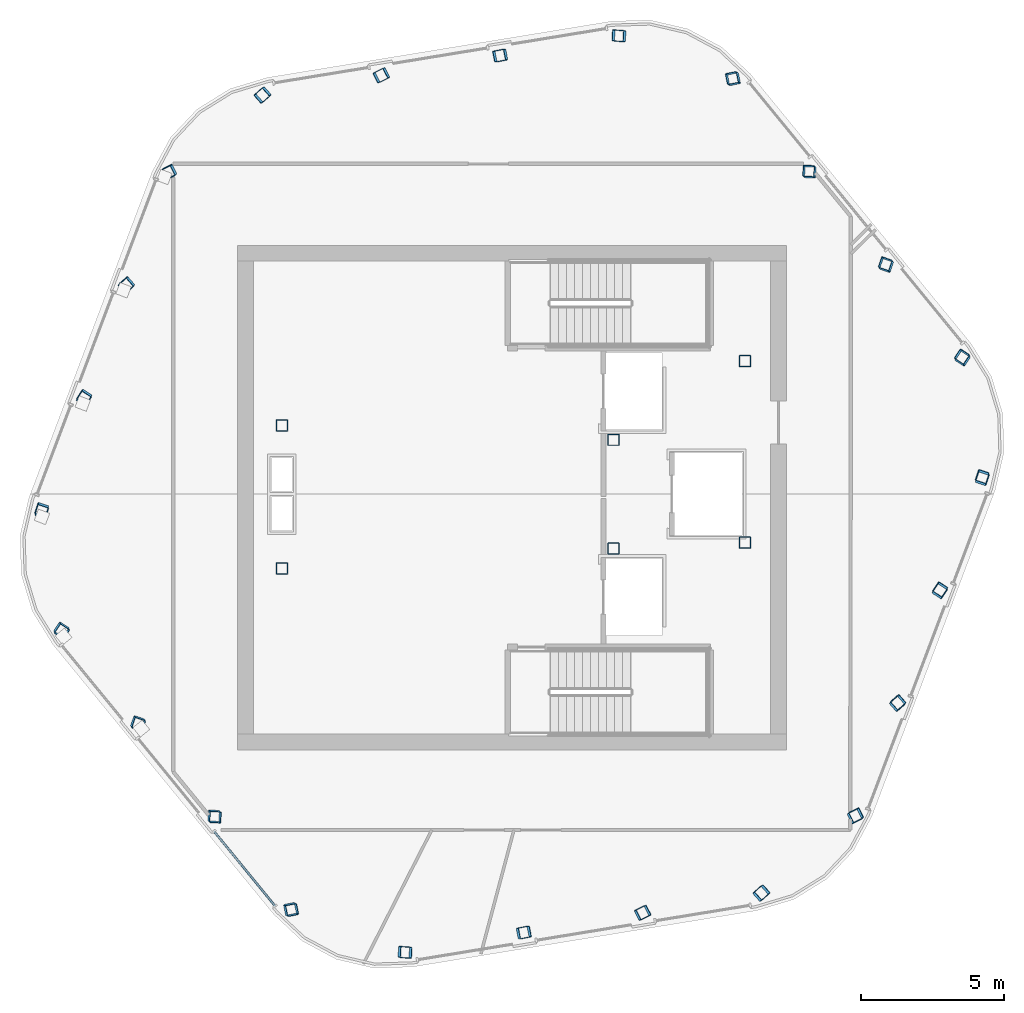
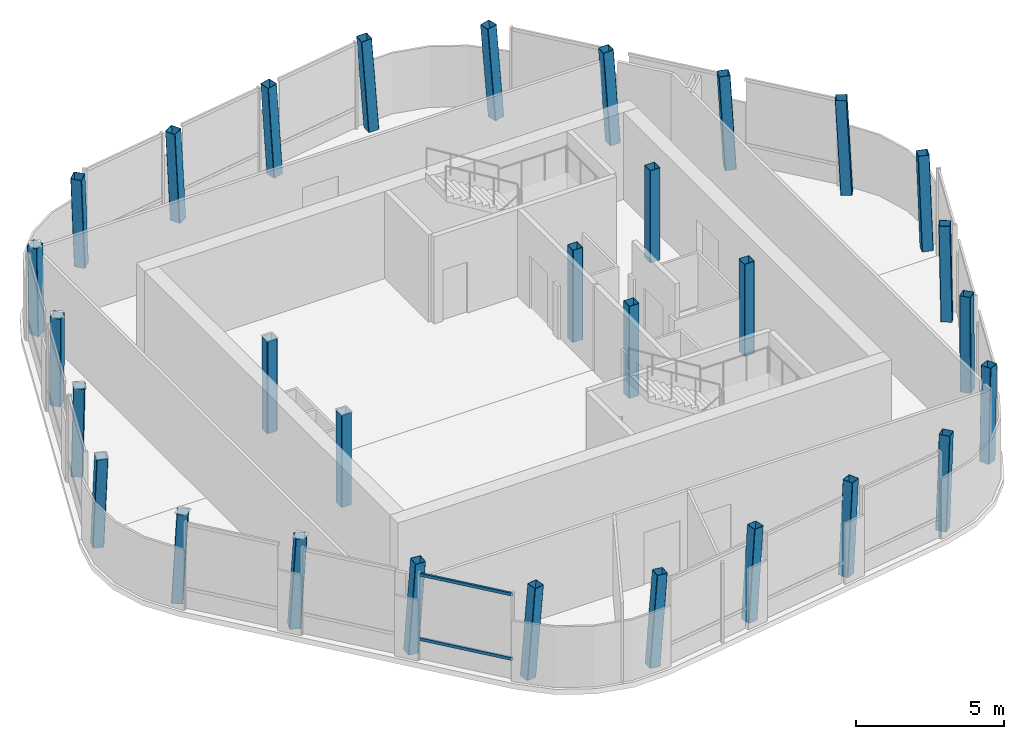
# One storey, part 1 of 8: 30 columns, 2 members, 1 element without a shape of its own.
"""IFC4 building model written with IfcOpenShell, lengths in metres."""

import ifcopenshell
import ifcopenshell.guid

model = None  # the IFC model being written
_history = None  # IfcOwnerHistory: only IFC2X3 demands one
_inside = {}  # id of a spatial element -> (the spatial element, [elements in it])
_under = {}  # id of a project, library or spatial element -> (it, [spatial elements below it])
_declared = {}  # id of a project -> (the project, [libraries it declares])
_typed = {}  # id of a type object -> (the type object, [elements of that type])
_made_of = {}  # id of a material, layer set ... -> (it, [elements and type objects made of it])


def new_model(schema):
    """Start an empty IFC model of exactly this schema.

    Asked for "IFC4X3", IfcOpenShell would pick the latest addendum, in which some entities
    have other attributes; the version numbers below select the first issue.
    IFC2X3 requires an IfcOwnerHistory on every rooted entity: one is made here for all.
    """
    global model, _history
    if schema == "IFC4X3":
        model = ifcopenshell.file(schema_version=(4, 3, 0, 0))
    else:
        model = ifcopenshell.file(schema=schema)
    _inside.clear()
    _under.clear()
    _declared.clear()
    _typed.clear()
    _made_of.clear()
    _history = None
    if model.schema == "IFC2X3":
        org = make("IfcOrganization", Name="unknown")
        user = make(
            "IfcPersonAndOrganization",
            ThePerson=make("IfcPerson", FamilyName="unknown"),
            TheOrganization=org,
        )
        app = make(
            "IfcApplication",
            ApplicationDeveloper=org,
            Version="unknown",
            ApplicationFullName="unknown",
            ApplicationIdentifier="unknown",
        )
        _history = make(
            "IfcOwnerHistory",
            OwningUser=user,
            OwningApplication=app,
            ChangeAction="ADDED",
            CreationDate=0,
        )
    return model


def make(cls, **values):
    """One entity of the class cls with the attributes given. An attribute that is None is left unset."""
    return model.create_entity(
        cls, **{name: value for name, value in values.items() if value is not None}
    )


def rooted(cls, **values):
    """An entity with a GlobalId (a new one), such as an element, a storey or a relation."""
    return make(cls, GlobalId=ifcopenshell.guid.new(), OwnerHistory=_history, **values)


def si_unit(unit_type, name, prefix=None):
    """IfcSIUnit, for example si_unit("LENGTHUNIT", "METRE", prefix="MILLI")."""
    return make("IfcSIUnit", UnitType=unit_type, Prefix=prefix, Name=name)


def assignment(units):
    """IfcUnitAssignment: the units of a project."""
    return None if units is None else make("IfcUnitAssignment", Units=units)


def point(xyz):
    """IfcCartesianPoint."""
    return None if xyz is None else make("IfcCartesianPoint", Coordinates=xyz)


def direction(xyz):
    """IfcDirection."""
    return None if xyz is None else make("IfcDirection", DirectionRatios=xyz)


def frame(location, z_axis=None, x_axis=None):
    """IfcAxis2Placement3D, a coordinate frame: its origin and axes. An axis left out is left unset."""
    return make(
        "IfcAxis2Placement3D",
        Location=point(location),
        Axis=direction(z_axis),
        RefDirection=direction(x_axis),
    )


def frame_2d(location, x_axis=None):
    """IfcAxis2Placement2D, a coordinate frame in the plane: its origin and x axis."""
    return make(
        "IfcAxis2Placement2D", Location=point(location), RefDirection=direction(x_axis)
    )


def origin():
    """The frame at (0, 0, 0) with its axes left unset."""
    return frame((0.0, 0.0, 0.0))


def origin_2d():
    """The frame at (0, 0) in the plane with its x axis left unset."""
    return frame_2d((0.0, 0.0))


def place(relative_to, where):
    """IfcLocalPlacement: puts the frame where relative to a parent placement (None: the world)."""
    return make(
        "IfcLocalPlacement", PlacementRelTo=relative_to, RelativePlacement=where
    )


def context(
    kind, dimensions, precision=None, world=None, true_north=None, identifier=None
):
    """IfcGeometricRepresentationContext, for example the 3D "Model" context."""
    return make(
        "IfcGeometricRepresentationContext",
        ContextIdentifier=identifier,
        ContextType=kind,
        CoordinateSpaceDimension=dimensions,
        Precision=precision,
        WorldCoordinateSystem=world,
        TrueNorth=true_north,
    )


def subcontext(parent, identifier, kind, view, scale=None):
    """IfcGeometricRepresentationSubContext, for example "Body" below "Model"."""
    return make(
        "IfcGeometricRepresentationSubContext",
        ContextIdentifier=identifier,
        ContextType=kind,
        ParentContext=parent,
        TargetScale=scale,
        TargetView=view,
    )


def project(units=None, contexts=None):
    """IfcProject with its units and contexts."""
    return rooted(
        "IfcProject",
        Name="project",
        RepresentationContexts=contexts,
        UnitsInContext=assignment(units),
    )


def spatial(cls, under=None, at=None, **own):
    """A site, building, storey or space (cls), placed at a placement, below another one or the project."""
    s = rooted(cls, ObjectPlacement=at, **own)
    if under is not None:
        _under.setdefault(under.id(), (under, []))[1].append(s)
    return s


def profile(cls, at=None, kind="AREA", **sizes):
    """A parametric profile (cls). Its sizes go by their IFC names, for example OverallWidth=200.0."""
    return make(cls, ProfileType=kind, Position=at, **sizes)


def rectangle(**sizes):
    """IfcRectangleProfileDef."""
    return profile("IfcRectangleProfileDef", **sizes)


def hollow_rectangle(**sizes):
    """IfcRectangleHollowProfileDef."""
    return profile("IfcRectangleHollowProfileDef", **sizes)


def extrude(swept, where, along, depth):
    """IfcExtrudedAreaSolid: the profile swept, set in the frame where, extruded along a direction by depth."""
    return make(
        "IfcExtrudedAreaSolid",
        SweptArea=swept,
        Position=where,
        ExtrudedDirection=direction(along),
        Depth=depth,
    )


def shape(context_of_items, identifier, shape_type, items):
    """IfcShapeRepresentation: the items that make up one representation, for example the "Body"."""
    return make(
        "IfcShapeRepresentation",
        ContextOfItems=context_of_items,
        RepresentationIdentifier=identifier,
        RepresentationType=shape_type,
        Items=items,
    )


def material(Name=None, Category=None):
    """IfcMaterial."""
    return make("IfcMaterial", Name=Name, Category=Category)


def layer(
    of_material, thickness, ventilated=None, Name=None, Category=None, Priority=None
):
    """IfcMaterialLayer: one layer of a wall or slab, of a material (None: an air gap)."""
    return make(
        "IfcMaterialLayer",
        Material=of_material,
        LayerThickness=thickness,
        IsVentilated=ventilated,
        Name=Name,
        Category=Category,
        Priority=Priority,
    )


def layer_set(layers, Name=None):
    """IfcMaterialLayerSet."""
    return make("IfcMaterialLayerSet", MaterialLayers=layers, LayerSetName=Name)


def material_profile(
    of_material, cross_section, Name=None, Category=None, Priority=None
):
    """IfcMaterialProfile: a cross section and its material."""
    return make(
        "IfcMaterialProfile",
        Name=Name,
        Material=of_material,
        Profile=cross_section,
        Priority=Priority,
        Category=Category,
    )


def profile_set(profiles, Name=None, composite=None):
    """IfcMaterialProfileSet."""
    return make(
        "IfcMaterialProfileSet",
        Name=Name,
        MaterialProfiles=profiles,
        CompositeProfile=composite,
    )


def made_of(thing, what):
    """Note that an element or type object is made of a material, layer set ...; save() writes the relation."""
    if what is not None:
        _made_of.setdefault(what.id(), (what, []))[1].append(thing)
    return thing


def type_object(cls, material=None, **own):
    """A type object (cls), such as IfcWallType, which elements share."""
    return made_of(rooted(cls, **own), material)


def element(
    cls,
    number,
    at=None,
    inside=None,
    cuts=None,
    type_object=None,
    material=None,
    context=None,
    identifier="Body",
    shape_type=None,
    held_by="IfcProductDefinitionShape",
    body=None,
    shapes=None,
    **own,
):
    """One element of the class cls, such as IfcWall. Its Tag is "e" and its number.

    at: its placement. inside: the storey or other place that contains it. cuts: it is an
    opening in that element (IfcRelVoidsElement). A single representation is given by context,
    identifier, shape_type and body (its items); several are given by shapes. held_by: the class
    of the entity that holds the representations. save() writes the other relations.
    """
    e = rooted(cls, Tag="e%d" % number, ObjectPlacement=at, **own)
    if body is not None:
        shapes = [shape(context, identifier, shape_type, body)]
    if shapes is not None:
        e.Representation = make(held_by, Representations=shapes)
    if inside is not None:
        _inside.setdefault(inside.id(), (inside, []))[1].append(e)
    if cuts is not None:
        rooted(
            "IfcRelVoidsElement", RelatingBuildingElement=cuts, RelatedOpeningElement=e
        )
    if type_object is not None:
        _typed.setdefault(type_object.id(), (type_object, []))[1].append(e)
    return made_of(e, material)


def aggregate(whole, parts):
    """IfcRelAggregates: a whole, such as a stair, and the parts it consists of."""
    return rooted("IfcRelAggregates", RelatingObject=whole, RelatedObjects=parts)


def save(model, path):
    """Write the relations noted so far, then the file.

    IfcRelAggregates (storeys below a building ...), IfcRelContainedInSpatialStructure (elements
    in a storey), IfcRelDefinesByType, IfcRelAssociatesMaterial and IfcRelDeclares: one each for
    every whole, place, type object, material and project.
    """
    for whole, parts in _under.values():
        aggregate(whole, parts)
    for where, things in _inside.values():
        rooted(
            "IfcRelContainedInSpatialStructure",
            RelatedElements=things,
            RelatingStructure=where,
        )
    for kind, things in _typed.values():
        rooted("IfcRelDefinesByType", RelatedObjects=things, RelatingType=kind)
    for what, things in _made_of.values():
        rooted("IfcRelAssociatesMaterial", RelatedObjects=things, RelatingMaterial=what)
    for by, libraries in _declared.values():
        rooted("IfcRelDeclares", RelatingContext=by, RelatedDefinitions=libraries)
    model.write(path)


model = new_model("IFC4")

# Units and contexts
model_context = context("Model", 3, precision=1e-05, world=origin(), true_north=direction((0.0, 1.0)))
body_context = subcontext(model_context, "Body", "Model", "MODEL_VIEW")
ifc_project = project(units=[si_unit("LENGTHUNIT", "METRE"), si_unit("AREAUNIT", "SQUARE_METRE"), si_unit("VOLUMEUNIT", "CUBIC_METRE"), si_unit("PLANEANGLEUNIT", "RADIAN"), si_unit("MASSUNIT", "GRAM", prefix="KILO")], contexts=[model_context])

# Site, building, storey
site_placement = place(None, origin())
site = spatial("IfcSite", under=ifc_project, at=site_placement, CompositionType="ELEMENT")
building_placement = place(site_placement, origin())
building = spatial("IfcBuilding", under=site, at=building_placement, Name="Valkerne Bourse Tower", CompositionType="ELEMENT")
storey_placement = place(building_placement, frame((0.0, 0.0, 323.0)))
storey = spatial("IfcBuildingStorey", under=building, at=storey_placement, Name="L82", CompositionType="ELEMENT", Elevation=323.0)

# Columns
ifc_material_1 = material(Name="Steel ASTM A500 Grade C", Category="steel")
ifc_material_profile_1 = material_profile(ifc_material_1, hollow_rectangle(XDim=0.39990234375, YDim=0.39990234375, WallThickness=0.01611328125, OuterFilletRadius=0.031982421875, at=origin_2d()), Name="HSS400X400X16")
ifc_profile_set_1 = profile_set([ifc_material_profile_1], Name="Steel ASTM A500 Grade C")
column_type = type_object("IfcColumnType", Name="COL-HSS400X400X16", PredefinedType="COLUMN", material=ifc_profile_set_1)
for number, where, z_axis, x_axis, name in (
    (1, (38.75, 24.39990234375, 0.0048828125), (0.0, 0.0, 1.0), (1.0, 0.0, 0.0), "L82 Core Frame Column CC-SW"),
    (2, (38.75, 29.39990234375, 0.0048828125), (0.0, 0.0, 1.0), (1.0, 0.0, 0.0), "L82 Core Frame Column CC-NW"),
    (3, (50.35009765625, 25.10009765625, 0.0048828125), (0.0, 0.0, 1.0), (1.0, 0.0, 0.0), "L82 Core Frame Column CC-CE1"),
    (4, (50.35009765625, 28.89990234375, 0.0048828125), (0.0, 0.0, 1.0), (1.0, 0.0, 0.0), "L82 Core Frame Column CC-CE2"),
    (5, (54.949951171875, 25.300048828125, 0.0048828125), (0.0, 0.0, 1.0), (1.0, 0.0, 0.0), "L82 Core Frame Column CC-SE"),
    (6, (54.949951171875, 31.64990234375, 0.0048828125), (0.0, 0.0, 1.0), (1.0, 0.0, 0.0), "L82 Core Frame Column CC-NE"),
):
    element("IfcColumn", number, at=place(storey_placement, frame(where, z_axis=z_axis, x_axis=x_axis)), inside=storey, type_object=column_type, Name=name, PredefinedType="COLUMN", context=body_context, shape_type="SweptSolid", body=[
        extrude(hollow_rectangle(XDim=0.39990234375, YDim=0.39990234375, WallThickness=0.01611328125, OuterFilletRadius=0.031982421875, at=origin_2d()), origin(), (0.0, 0.0, 1.0), 3.795166015625),
    ])
column_1_placement = place(storey_placement, frame((50.578857421875, 43.02001953125, 0.010009765625), z_axis=(-0.06654559286, 0.015138639228, 0.997668534972), x_axis=(0.061699048051, 0.998033863805, -0.011028788103)))
element("IfcColumn", 7, at=column_1_placement, inside=storey, type_object=column_type, Name="L82 Helical Perimeter Tube Column F1-C1", PredefinedType="COLUMN", context=body_context, shape_type="SweptSolid", body=[
    extrude(hollow_rectangle(XDim=0.39990234375, YDim=0.39990234375, WallThickness=0.01611328125, OuterFilletRadius=0.031982421875, at=origin_2d()), origin(), (0.0, 0.0, 1.0), 3.789794921875),
])
for number, where, z_axis, x_axis, name in (
    (8, (46.422119140625, 42.33935546875, 0.010009765625), (-0.063601703345, -0.002062061304, 0.997973231723), (-0.193170110779, 0.98111138728, -0.010283678888), "L82 Helical Perimeter Tube Column F1-C2"),
    (9, (42.265380859375, 41.65869140625, 0.010009765625), (-0.060573326479, -0.019267472997, 0.997977773602), (-0.452824997757, 0.89154024256, -0.010272161514), "L82 Helical Perimeter Tube Column F1-C3"),
):
    element("IfcColumn", number, at=place(storey_placement, frame(where, z_axis=z_axis, x_axis=x_axis)), inside=storey, type_object=column_type, Name=name, PredefinedType="COLUMN", context=body_context, shape_type="SweptSolid", body=[
        extrude(hollow_rectangle(XDim=0.39990234375, YDim=0.39990234375, WallThickness=0.01611328125, OuterFilletRadius=0.031982421875, at=origin_2d()), origin(), (0.0, 0.0, 1.0), 3.78857421875),
    ])
for number, where, z_axis, x_axis, name in (
    (10, (38.10888671875, 40.97802734375, 0.010009765625), (-0.057655644621, -0.036525978213, 0.99766812095), (-0.664326161823, 0.747361421921, -0.011029766165), "L82 Helical Perimeter Tube Column F1-C4"),
    (11, (34.815673828125, 38.282470703125, 0.010009765625), (-0.046382381071, -0.049989899599, 0.997672132849), (-0.893890787695, -0.44372285889, -0.063790941153), "L82 Helical Perimeter Tube Column F2-C1"),
):
    element("IfcColumn", number, at=place(storey_placement, frame(where, z_axis=z_axis, x_axis=x_axis)), inside=storey, type_object=column_type, Name=name, PredefinedType="COLUMN", context=body_context, shape_type="SweptSolid", body=[
        extrude(hollow_rectangle(XDim=0.39990234375, YDim=0.39990234375, WallThickness=0.01611328125, OuterFilletRadius=0.031982421875, at=origin_2d()), origin(), (0.0, 0.0, 1.0), 3.789794921875),
    ])
for number, where, z_axis, x_axis, name in (
    (12, (33.326904296875, 34.34228515625, 0.010009765625), (-0.030028838628, -0.056062424047, 0.997975587608), (-0.752381588201, -0.656035506196, -0.059492523439), "L82 Helical Perimeter Tube Column F2-C2"),
    (13, (31.837890625, 30.40234375, 0.010009765625), (-0.013596755568, -0.062119774252, 0.997976082822), (-0.544909967472, -0.836381869681, -0.059485253794), "L82 Helical Perimeter Tube Column F2-C3"),
):
    element("IfcColumn", number, at=place(storey_placement, frame(where, z_axis=z_axis, x_axis=x_axis)), inside=storey, type_object=column_type, Name=name, PredefinedType="COLUMN", context=body_context, shape_type="SweptSolid", body=[
        extrude(hollow_rectangle(XDim=0.39990234375, YDim=0.39990234375, WallThickness=0.01611328125, OuterFilletRadius=0.031982421875, at=origin_2d()), origin(), (0.0, 0.0, 1.0), 3.78857421875),
    ])
for number, where, z_axis, x_axis, name in (
    (14, (30.34912109375, 26.462158203125, 0.010009765625), (0.002770055208, -0.0681562421, 0.997670814175), (-0.315284114704, -0.946849692607, -0.063808985462), "L82 Helical Perimeter Tube Column F2-C4"),
    (15, (31.036865234375, 22.262451171875, 0.010009765625), (0.020163387466, -0.065192805481, 0.997668951065), (0.833220233483, -0.550413933831, -0.052806665856), "L82 Helical Perimeter Tube Column F3-C1"),
):
    element("IfcColumn", number, at=place(storey_placement, frame(where, z_axis=z_axis, x_axis=x_axis)), inside=storey, type_object=column_type, Name=name, PredefinedType="COLUMN", context=body_context, shape_type="SweptSolid", body=[
        extrude(hollow_rectangle(XDim=0.39990234375, YDim=0.39990234375, WallThickness=0.01611328125, OuterFilletRadius=0.031982421875, at=origin_2d()), origin(), (0.0, 0.0, 1.0), 3.789794921875),
    ])
for number, where, z_axis, x_axis, name in (
    (16, (33.70458984375, 19.003173828125, 0.010009765625), (0.033572923826, -0.054064650844, 0.997972881553), (0.94548003469, -0.321935042246, -0.049247665689), "L82 Helical Perimeter Tube Column F3-C2"),
    (17, (36.37255859375, 15.74365234375, 0.010009765625), (0.046976483016, -0.042852347333, 0.997976395699), (0.997406689818, -0.052523925498, -0.049205003379), "L82 Helical Perimeter Tube Column F3-C3"),
):
    element("IfcColumn", number, at=place(storey_placement, frame(where, z_axis=z_axis, x_axis=x_axis)), inside=storey, type_object=column_type, Name=name, PredefinedType="COLUMN", context=body_context, shape_type="SweptSolid", body=[
        extrude(hollow_rectangle(XDim=0.39990234375, YDim=0.39990234375, WallThickness=0.01611328125, OuterFilletRadius=0.031982421875, at=origin_2d()), origin(), (0.0, 0.0, 1.0), 3.78857421875),
    ])
for number, where, z_axis, x_axis, name in (
    (18, (39.040283203125, 12.484375, 0.010009765625), (0.060425768332, -0.031694539466, 0.997669375439), (0.977900531467, 0.202293137966, -0.052801864444), "L82 Helical Perimeter Tube Column F3-C4"),
    (19, (43.021240234375, 10.97998046875, 0.010009765625), (0.066481457978, -0.015138704094, 0.997672809785), (0.061907542762, 0.998021064278, 0.011018684443), "L82 Helical Perimeter Tube Column F4-C1"),
):
    element("IfcColumn", number, at=place(storey_placement, frame(where, z_axis=z_axis, x_axis=x_axis)), inside=storey, type_object=column_type, Name=name, PredefinedType="COLUMN", context=body_context, shape_type="SweptSolid", body=[
        extrude(hollow_rectangle(XDim=0.39990234375, YDim=0.39990234375, WallThickness=0.01611328125, OuterFilletRadius=0.031982421875, at=origin_2d()), origin(), (0.0, 0.0, 1.0), 3.789794921875),
    ])
for number, where, z_axis, x_axis, name in (
    (20, (47.177978515625, 11.66064453125, 0.010009765625), (0.063537524204, 0.002062069751, 0.997977319826), (-0.193202997803, 0.981105020212, 0.010273312791), "L82 Helical Perimeter Tube Column F4-C2"),
    (21, (51.33447265625, 12.34130859375, 0.010009765625), (0.060637529375, 0.01926739775, 0.997973876119), (-0.452550673199, 0.891679408602, 0.010282045607), "L82 Helical Perimeter Tube Column F4-C3"),
):
    element("IfcColumn", number, at=place(storey_placement, frame(where, z_axis=z_axis, x_axis=x_axis)), inside=storey, type_object=column_type, Name=name, PredefinedType="COLUMN", context=body_context, shape_type="SweptSolid", body=[
        extrude(hollow_rectangle(XDim=0.39990234375, YDim=0.39990234375, WallThickness=0.01611328125, OuterFilletRadius=0.031982421875, at=origin_2d()), origin(), (0.0, 0.0, 1.0), 3.78857421875),
    ])
for number, where, z_axis, x_axis, name in (
    (22, (55.4912109375, 13.02197265625, 0.010009765625), (0.057655644621, 0.036525978213, 0.99766812095), (-0.664326161823, 0.747361421921, 0.011029766165), "L82 Helical Perimeter Tube Column F4-C4"),
    (23, (58.7841796875, 15.717529296875, 0.010009765625), (0.046446662168, 0.049989750129, 0.997669149796), (-0.894195755385, -0.443102085715, 0.063831752964), "L82 Helical Perimeter Tube Column F5-C1"),
):
    element("IfcColumn", number, at=place(storey_placement, frame(where, z_axis=z_axis, x_axis=x_axis)), inside=storey, type_object=column_type, Name=name, PredefinedType="COLUMN", context=body_context, shape_type="SweptSolid", body=[
        extrude(hollow_rectangle(XDim=0.39990234375, YDim=0.39990234375, WallThickness=0.01611328125, OuterFilletRadius=0.031982421875, at=origin_2d()), origin(), (0.0, 0.0, 1.0), 3.789794921875),
    ])
for number, where, z_axis, x_axis, name in (
    (24, (60.273193359375, 19.65771484375, 0.010009765625), (0.02996445698, 0.056062532414, 0.997977516669), (-0.751795905341, -0.656709163639, 0.05946420019), "L82 Helical Perimeter Tube Column F5-C2"),
    (25, (61.761962890625, 23.59765625, 0.010009765625), (0.01366118317, 0.062119719696, 0.997975206355), (-0.545737295085, -0.835841359664, 0.059498119537), "L82 Helical Perimeter Tube Column F5-C3"),
):
    element("IfcColumn", number, at=place(storey_placement, frame(where, z_axis=z_axis, x_axis=x_axis)), inside=storey, type_object=column_type, Name=name, PredefinedType="COLUMN", context=body_context, shape_type="SweptSolid", body=[
        extrude(hollow_rectangle(XDim=0.39990234375, YDim=0.39990234375, WallThickness=0.01611328125, OuterFilletRadius=0.031982421875, at=origin_2d()), origin(), (0.0, 0.0, 1.0), 3.78857421875),
    ])
for number, where, z_axis, x_axis, name in (
    (26, (63.250732421875, 27.537841796875, 0.010009765625), (-0.002705635797, 0.06815625412, 0.997670990136), (-0.316177468808, -0.946551915547, 0.063806577966), "L82 Helical Perimeter Tube Column F5-C4"),
    (27, (62.56298828125, 31.737548828125, 0.010009765625), (-0.020098993763, 0.065192890026, 0.99767024489), (0.83272364932, -0.551166332293, 0.052792026013), "L82 Helical Perimeter Tube Column F6-C1"),
):
    element("IfcColumn", number, at=place(storey_placement, frame(where, z_axis=z_axis, x_axis=x_axis)), inside=storey, type_object=column_type, Name=name, PredefinedType="COLUMN", context=body_context, shape_type="SweptSolid", body=[
        extrude(hollow_rectangle(XDim=0.39990234375, YDim=0.39990234375, WallThickness=0.01611328125, OuterFilletRadius=0.031982421875, at=origin_2d()), origin(), (0.0, 0.0, 1.0), 3.789794921875),
    ])
for number, where, z_axis, x_axis, name in (
    (28, (59.895263671875, 34.996826171875, 0.010009765625), (-0.033572923826, 0.054064650844, 0.997972881553), (0.94548003469, -0.321935042246, 0.049247665689), "L82 Helical Perimeter Tube Column F6-C2"),
    (29, (57.2275390625, 38.25634765625, 0.010009765625), (-0.047040780139, 0.042852217524, 0.997973372619), (0.997440574389, -0.051841633121, 0.049241706291), "L82 Helical Perimeter Tube Column F6-C3"),
):
    element("IfcColumn", number, at=place(storey_placement, frame(where, z_axis=z_axis, x_axis=x_axis)), inside=storey, type_object=column_type, Name=name, PredefinedType="COLUMN", context=body_context, shape_type="SweptSolid", body=[
        extrude(hollow_rectangle(XDim=0.39990234375, YDim=0.39990234375, WallThickness=0.01611328125, OuterFilletRadius=0.031982421875, at=origin_2d()), origin(), (0.0, 0.0, 1.0), 3.78857421875),
    ])
column_2_placement = place(storey_placement, frame((54.559814453125, 41.515625, 0.010009765625), z_axis=(-0.060425768332, 0.031694539466, 0.997669375439), x_axis=(0.977900531467, 0.202293137966, 0.052801864444)))
element("IfcColumn", 30, at=column_2_placement, inside=storey, type_object=column_type, Name="L82 Helical Perimeter Tube Column F6-C4", PredefinedType="COLUMN", context=body_context, shape_type="SweptSolid", body=[
    extrude(hollow_rectangle(XDim=0.39990234375, YDim=0.39990234375, WallThickness=0.01611328125, OuterFilletRadius=0.031982421875, at=origin_2d()), origin(), (0.0, 0.0, 1.0), 3.789794921875),
])

# Curtain wall, members
ifc_material_2 = material(Name="Aluminium AA 6063-T6", Category="aluminium")
ifc_layer = layer(ifc_material_2, 0.25)
ifc_layer_set = layer_set([ifc_layer], Name="Aluminium AA 6063-T6")
curtain_wall_type = type_object("IfcCurtainWallType", Name="CW-06", PredefinedType="NOTDEFINED", material=ifc_layer_set)
curtain_wall_placement = place(storey_placement, origin())
curtain_wall = element("IfcCurtainWall", 31, at=curtain_wall_placement, inside=storey, type_object=curtain_wall_type, Name="L82 Hexagonal Stick Curtain Wall Face 3", PredefinedType="NOTDEFINED")
ifc_material_profile_2 = material_profile(ifc_material_2, rectangle(XDim=0.074951171875, YDim=0.1201171875, at=origin_2d()), Name="CWT-75X120")
ifc_profile_set_2 = profile_set([ifc_material_profile_2], Name="Aluminium AA 6063-T6")
member_type = type_object("IfcMemberType", Name="CW-TRN-120X75", PredefinedType="USERDEFINED", material=ifc_profile_set_2)
member_1_placement = place(storey_placement, frame((36.37548828125, 15.203369140625, 0.85009765625), z_axis=(0.633379717776, -0.77384115496, 0.0), x_axis=(0.77384115496, 0.633379717776, 0.0)))
member_1 = element("IfcMember", 32, at=member_1_placement, type_object=member_type, Name="CW-L82-F3 Bay Transom 02-1", ObjectType="TRANSOM", PredefinedType="USERDEFINED", context=body_context, shape_type="SweptSolid", body=[
    extrude(rectangle(XDim=0.074951171875, YDim=0.1201171875, at=origin_2d()), origin(), (0.0, 0.0, 1.0), 3.3720703125),
])
member_2_placement = place(storey_placement, frame((36.37548828125, 15.203369140625, 3.5), z_axis=(0.633379717776, -0.77384115496, 0.0), x_axis=(0.77384115496, 0.633379717776, 0.0)))
member_2 = element("IfcMember", 33, at=member_2_placement, type_object=member_type, Name="CW-L82-F3 Bay Transom 02-2", ObjectType="TRANSOM", PredefinedType="USERDEFINED", context=body_context, shape_type="SweptSolid", body=[
    extrude(rectangle(XDim=0.074951171875, YDim=0.1201171875, at=origin_2d()), origin(), (0.0, 0.0, 1.0), 3.3720703125),
])
aggregate(curtain_wall, [member_1, member_2])

save(model, "model.ifc")
